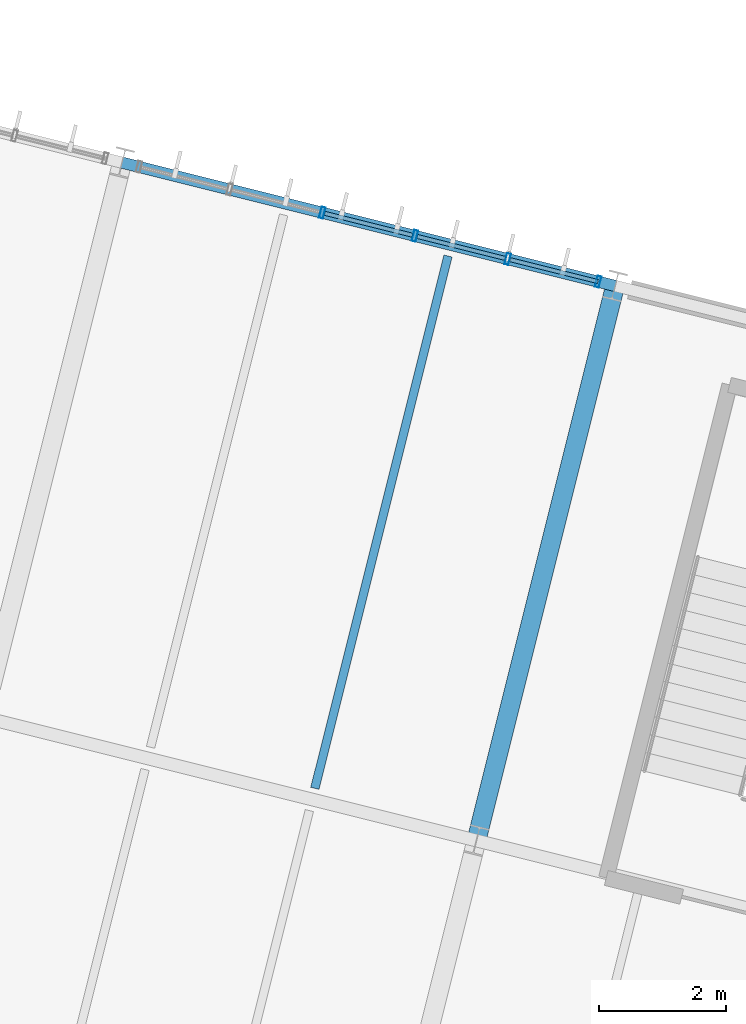
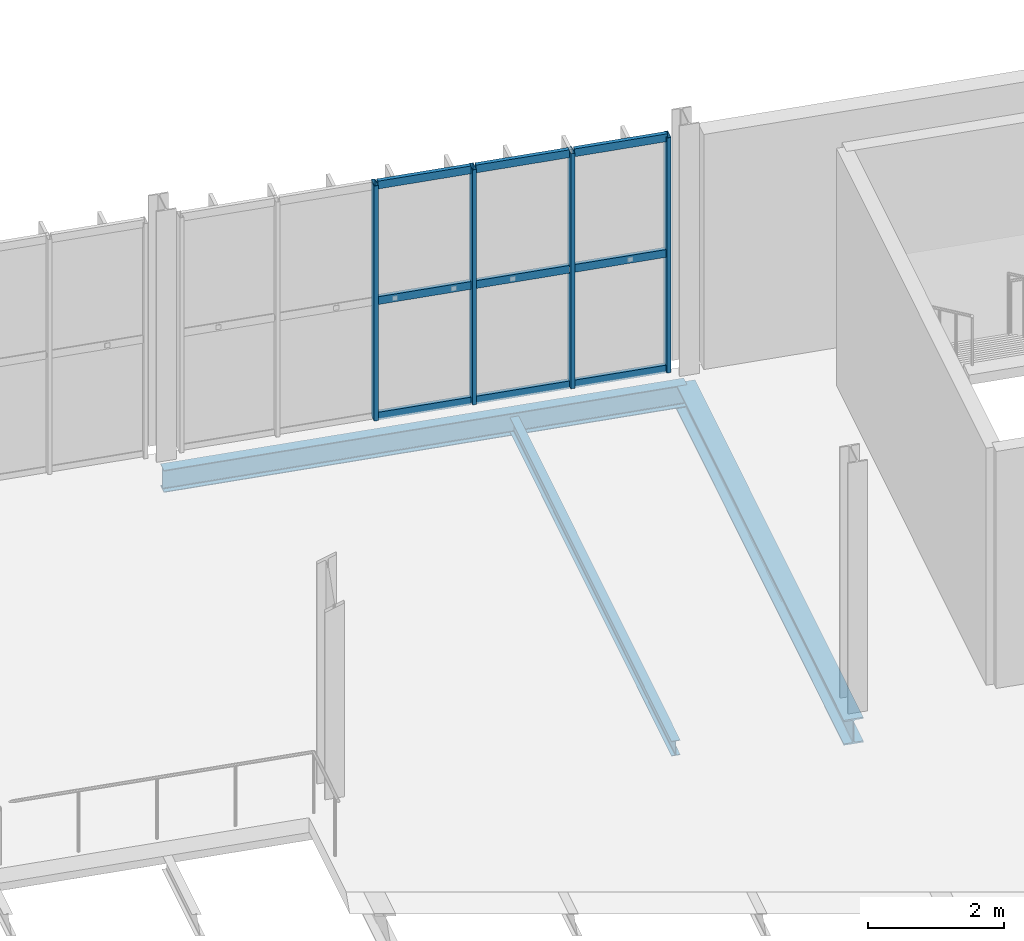
# One storey, part 102 of 152: 13 members, 3 beams, 1 element without a shape of its own.
"""IFC4 building model written with IfcOpenShell, lengths in metres."""

from ifc_helpers import new_model, si_unit, derived_unit, direction, frame, origin, origin_2d, place, context, subcontext, project, spatial, hollow_rectangle, i_section, extrude, material, material_profile, profile_set, type_object, element, aggregate, save


model = new_model("IFC4")

# Units and contexts
model_context = context("Model", 3, precision=1e-05, world=origin(), true_north=direction((0.0, 1.0)))
body_context = subcontext(model_context, "Body", "Model", "MODEL_VIEW")
ifc_project = project(units=[si_unit("LENGTHUNIT", "METRE"), si_unit("AREAUNIT", "SQUARE_METRE"), si_unit("VOLUMEUNIT", "CUBIC_METRE"), si_unit("PLANEANGLEUNIT", "RADIAN"), si_unit("MASSUNIT", "GRAM", prefix="KILO"), si_unit("THERMODYNAMICTEMPERATUREUNIT", "KELVIN"), si_unit("TIMEUNIT", "SECOND"), derived_unit("THERMALTRANSMITTANCEUNIT", [(si_unit("MASSUNIT", "GRAM", prefix="KILO"), 1), (si_unit("THERMODYNAMICTEMPERATUREUNIT", "KELVIN"), -1), (si_unit("TIMEUNIT", "SECOND"), -3)])], contexts=[model_context])

# Site, building, storey
site_placement = place(None, origin())
site = spatial("IfcSite", under=ifc_project, at=site_placement, CompositionType="ELEMENT")
building_placement = place(site_placement, origin())
building = spatial("IfcBuilding", under=site, at=building_placement, Name="Cambertide Market Hall", CompositionType="ELEMENT")
storey_placement = place(building_placement, frame((0.0, 0.0, 5.39990234375)))
storey = spatial("IfcBuildingStorey", under=building, at=storey_placement, Name="L02", CompositionType="ELEMENT", Elevation=5.39990234375)

# Curtain wall, members
ifc_material_1 = material(Name="Marine Anodized Aluminium 6063-T6 AA25", Category="aluminium")
curtain_wall_type = type_object("IfcCurtainWallType", Name="Culinary Teaching Kitchen Curtain Wall", PredefinedType="USERDEFINED", material=ifc_material_1)
curtain_wall_placement = place(storey_placement, origin())
curtain_wall = element("IfcCurtainWall", 1, at=curtain_wall_placement, inside=storey, type_object=curtain_wall_type, Name="Level 2 Curtain Wall CW-V4N-L02-7", ObjectType="UNITIZED CURTAIN WALL", PredefinedType="USERDEFINED")
ifc_material_2 = material(Name="Champagne Marine Anodized Aluminium 6063-T6 AA25", Category="aluminium")
ifc_material_profile_1 = material_profile(ifc_material_2, hollow_rectangle(XDim=0.06494140625, YDim=0.179931640625, WallThickness=0.00390625, at=origin_2d()), Name="ALU MULLION 65x180")
ifc_profile_set_1 = profile_set([ifc_material_profile_1], Name="Champagne Marine Anodized Aluminium 6063-T6 AA25")
member_type_1 = type_object("IfcMemberType", Name="Curtain Wall Mullion ALU MULLION 65x180", PredefinedType="MULLION", material=ifc_profile_set_1)
member_1_placement = place(storey_placement, frame((164.266357421875, 113.764404296875, 0.0), z_axis=(0.0, 0.0, 1.0), x_axis=(0.970142500145, -0.242535625038, 0.0)))
member_1 = element("IfcMember", 2, at=member_1_placement, type_object=member_type_1, Name="CW-V4N-L02-7 Mullion 3", PredefinedType="MULLION", context=body_context, shape_type="SweptSolid", body=[
    extrude(hollow_rectangle(XDim=0.06494140625, YDim=0.179931640625, WallThickness=0.00390625, at=origin_2d()), origin(), (0.0, 0.0, 1.0), 4.22021484375),
])
member_2_placement = place(storey_placement, frame((165.725341796875, 113.399658203125, 0.0), z_axis=(0.0, 0.0, 1.0), x_axis=(0.970142500145, -0.242535625038, 0.0)))
member_2 = element("IfcMember", 3, at=member_2_placement, type_object=member_type_1, Name="CW-V4N-L02-7 Mullion 4", PredefinedType="MULLION", context=body_context, shape_type="SweptSolid", body=[
    extrude(hollow_rectangle(XDim=0.06494140625, YDim=0.179931640625, WallThickness=0.00390625, at=origin_2d()), origin(), (0.0, 0.0, 1.0), 4.22021484375),
])
member_3_placement = place(storey_placement, frame((167.1845703125, 113.034912109375, 0.0), z_axis=(0.0, 0.0, 1.0), x_axis=(0.970142500145, -0.242535625038, 0.0)))
member_3 = element("IfcMember", 4, at=member_3_placement, type_object=member_type_1, Name="CW-V4N-L02-7 Mullion 5", PredefinedType="MULLION", context=body_context, shape_type="SweptSolid", body=[
    extrude(hollow_rectangle(XDim=0.06494140625, YDim=0.179931640625, WallThickness=0.00390625, at=origin_2d()), origin(), (0.0, 0.0, 1.0), 4.22021484375),
])
member_4_placement = place(storey_placement, frame((168.609619140625, 112.678466796875, 0.0), z_axis=(0.0, 0.0, 1.0), x_axis=(0.970142500145, -0.242535625038, 0.0)))
member_4 = element("IfcMember", 5, at=member_4_placement, type_object=member_type_1, Name="CW-V4N-L02-7 Mullion 6", PredefinedType="MULLION", context=body_context, shape_type="SweptSolid", body=[
    extrude(hollow_rectangle(XDim=0.06494140625, YDim=0.179931640625, WallThickness=0.00390625, at=origin_2d()), origin(), (0.0, 0.0, 1.0), 4.22021484375),
])
ifc_material_3 = material(Name="Champagne Marine Anodized Aluminium 6063-T6 AA25", Category="aluminium")
ifc_material_profile_2 = material_profile(ifc_material_3, hollow_rectangle(XDim=0.06494140625, YDim=0.139892578125, WallThickness=0.00341796875, at=origin_2d()), Name="ALU TRANSOM 65x140")
ifc_profile_set_2 = profile_set([ifc_material_profile_2], Name="Champagne Marine Anodized Aluminium 6063-T6 AA25")
member_type_2 = type_object("IfcMemberType", Name="Curtain Wall Transom ALU TRANSOM 65x140", PredefinedType="USERDEFINED", material=ifc_profile_set_2)
member_5_placement = place(storey_placement, frame((164.30517578125, 113.754638671875, 0.03515625), z_axis=(0.970162669427, -0.242454933646, 0.0), x_axis=(0.242454933646, 0.970162669427, 0.0)))
member_5 = element("IfcMember", 6, at=member_5_placement, type_object=member_type_2, Name="CW-V4N-L02-7 Transom 1-3", ObjectType="TRANSOM", PredefinedType="USERDEFINED", context=body_context, shape_type="SweptSolid", body=[
    extrude(hollow_rectangle(XDim=0.06494140625, YDim=0.139892578125, WallThickness=0.00341796875, at=origin_2d()), origin(), (0.0, 0.0, 1.0), 1.423828125),
])
member_6_placement = place(storey_placement, frame((165.76416015625, 113.389892578125, 0.03515625), z_axis=(0.970132415085, -0.242575961715, 0.0), x_axis=(0.242575961715, 0.970132415085, 0.0)))
member_6 = element("IfcMember", 7, at=member_6_placement, type_object=member_type_2, Name="CW-V4N-L02-7 Transom 1-4", ObjectType="TRANSOM", PredefinedType="USERDEFINED", context=body_context, shape_type="SweptSolid", body=[
    extrude(hollow_rectangle(XDim=0.06494140625, YDim=0.139892578125, WallThickness=0.00341796875, at=origin_2d()), origin(), (0.0, 0.0, 1.0), 1.424072265625),
])
member_7_placement = place(storey_placement, frame((167.223388671875, 113.025146484375, 0.03515625), z_axis=(0.970122324991, -0.242616311393, 0.0), x_axis=(0.242616311393, 0.970122324991, 0.0)))
member_7 = element("IfcMember", 8, at=member_7_placement, type_object=member_type_2, Name="CW-V4N-L02-7 Transom 1-5", ObjectType="TRANSOM", PredefinedType="USERDEFINED", context=body_context, shape_type="SweptSolid", body=[
    extrude(hollow_rectangle(XDim=0.06494140625, YDim=0.139892578125, WallThickness=0.00341796875, at=origin_2d()), origin(), (0.0, 0.0, 1.0), 1.423828125),
])
member_8_placement = place(storey_placement, frame((164.30517578125, 113.754638671875, 2.110107421875), z_axis=(0.970162669427, -0.242454933646, 0.0), x_axis=(0.242454933646, 0.970162669427, 0.0)))
member_8 = element("IfcMember", 9, at=member_8_placement, type_object=member_type_2, Name="CW-V4N-L02-7 Transom 2-3", ObjectType="TRANSOM", PredefinedType="USERDEFINED", context=body_context, shape_type="SweptSolid", body=[
    extrude(hollow_rectangle(XDim=0.06494140625, YDim=0.139892578125, WallThickness=0.00341796875, at=origin_2d()), origin(), (0.0, 0.0, 1.0), 1.423828125),
])
member_9_placement = place(storey_placement, frame((165.76416015625, 113.389892578125, 2.110107421875), z_axis=(0.970132415085, -0.242575961715, 0.0), x_axis=(0.242575961715, 0.970132415085, 0.0)))
member_9 = element("IfcMember", 10, at=member_9_placement, type_object=member_type_2, Name="CW-V4N-L02-7 Transom 2-4", ObjectType="TRANSOM", PredefinedType="USERDEFINED", context=body_context, shape_type="SweptSolid", body=[
    extrude(hollow_rectangle(XDim=0.06494140625, YDim=0.139892578125, WallThickness=0.00341796875, at=origin_2d()), origin(), (0.0, 0.0, 1.0), 1.424072265625),
])
member_10_placement = place(storey_placement, frame((167.223388671875, 113.025146484375, 2.110107421875), z_axis=(0.970122324991, -0.242616311393, 0.0), x_axis=(0.242616311393, 0.970122324991, 0.0)))
member_10 = element("IfcMember", 11, at=member_10_placement, type_object=member_type_2, Name="CW-V4N-L02-7 Transom 2-5", ObjectType="TRANSOM", PredefinedType="USERDEFINED", context=body_context, shape_type="SweptSolid", body=[
    extrude(hollow_rectangle(XDim=0.06494140625, YDim=0.139892578125, WallThickness=0.00341796875, at=origin_2d()), origin(), (0.0, 0.0, 1.0), 1.423828125),
])
member_11_placement = place(storey_placement, frame((164.30517578125, 113.754638671875, 4.18505859375), z_axis=(0.970162669427, -0.242454933646, 0.0), x_axis=(0.242454933646, 0.970162669427, 0.0)))
member_11 = element("IfcMember", 12, at=member_11_placement, type_object=member_type_2, Name="CW-V4N-L02-7 Transom 3-3", ObjectType="TRANSOM", PredefinedType="USERDEFINED", context=body_context, shape_type="SweptSolid", body=[
    extrude(hollow_rectangle(XDim=0.06494140625, YDim=0.139892578125, WallThickness=0.00341796875, at=origin_2d()), origin(), (0.0, 0.0, 1.0), 1.423828125),
])
member_12_placement = place(storey_placement, frame((165.76416015625, 113.389892578125, 4.18505859375), z_axis=(0.970132415085, -0.242575961715, 0.0), x_axis=(0.242575961715, 0.970132415085, 0.0)))
member_12 = element("IfcMember", 13, at=member_12_placement, type_object=member_type_2, Name="CW-V4N-L02-7 Transom 3-4", ObjectType="TRANSOM", PredefinedType="USERDEFINED", context=body_context, shape_type="SweptSolid", body=[
    extrude(hollow_rectangle(XDim=0.06494140625, YDim=0.139892578125, WallThickness=0.00341796875, at=origin_2d()), origin(), (0.0, 0.0, 1.0), 1.424072265625),
])
member_13_placement = place(storey_placement, frame((167.223388671875, 113.025146484375, 4.18505859375), z_axis=(0.970122324991, -0.242616311393, 0.0), x_axis=(0.242616311393, 0.970122324991, 0.0)))
member_13 = element("IfcMember", 14, at=member_13_placement, type_object=member_type_2, Name="CW-V4N-L02-7 Transom 3-5", ObjectType="TRANSOM", PredefinedType="USERDEFINED", context=body_context, shape_type="SweptSolid", body=[
    extrude(hollow_rectangle(XDim=0.06494140625, YDim=0.139892578125, WallThickness=0.00341796875, at=origin_2d()), origin(), (0.0, 0.0, 1.0), 1.423828125),
])
aggregate(curtain_wall, [member_1, member_2, member_3, member_4, member_5, member_6, member_7, member_8, member_9, member_10, member_11, member_12, member_13])

# Beams
ifc_material_4 = material(Name="Steel S355", Category="steel")
ifc_material_profile_3 = material_profile(ifc_material_4, i_section(OverallWidth=0.179931640625, OverallDepth=0.39990234375, WebThickness=0.008544921875, FlangeThickness=0.013427734375, FilletRadius=0.02099609375, at=origin_2d()), Name="IPE 400")
ifc_profile_set_3 = profile_set([ifc_material_profile_3], Name="Steel S355")
beam_type_1 = type_object("IfcBeamType", Name="Perimeter Spandrel Beam IPE 400", PredefinedType="SPANDREL", material=ifc_profile_set_3)
beam_1_placement = place(storey_placement, frame((161.115234375, 114.55224609375, -0.46484375), z_axis=(0.970138909791, -0.242549986002, 0.0), x_axis=(0.242549986002, 0.970138909791, 0.0)))
element("IfcBeam", 15, at=beam_1_placement, inside=storey, type_object=beam_type_1, Name="Level 2 Spandrel BM-V4U-L02-7-4", PredefinedType="SPANDREL", context=body_context, shape_type="SweptSolid", body=[
    extrude(i_section(OverallWidth=0.179931640625, OverallDepth=0.39990234375, WebThickness=0.008544921875, FlangeThickness=0.013427734375, FilletRadius=0.02099609375, at=origin_2d()), origin(), (0.0, 0.0, 1.0), 8.000244140625),
])
ifc_material_5 = material(Name="Steel S355", Category="steel")
ifc_material_profile_4 = material_profile(ifc_material_5, i_section(OverallWidth=0.300048828125, OverallDepth=0.449951171875, WebThickness=0.013916015625, FlangeThickness=0.02587890625, FilletRadius=0.027099609375, at=origin_2d()), Name="HEB 450")
ifc_profile_set_4 = profile_set([ifc_material_profile_4], Name="Steel S355")
beam_type_2 = type_object("IfcBeamType", Name="Steel Girder HEB 450", PredefinedType="BEAM", material=ifc_profile_set_4)
beam_2_placement = place(storey_placement, frame((166.693603515625, 103.880615234375, -0.489990234375), z_axis=(0.242542007841, 0.970140904422, 0.0), x_axis=(-0.970140904422, 0.242542007841, 0.0)))
element("IfcBeam", 16, at=beam_2_placement, inside=storey, type_object=beam_type_2, Name="Level 2 Beam BM-V4V-L02-8-3", PredefinedType="BEAM", context=body_context, shape_type="SweptSolid", body=[
    extrude(i_section(OverallWidth=0.300048828125, OverallDepth=0.449951171875, WebThickness=0.013916015625, FlangeThickness=0.02587890625, FilletRadius=0.027099609375, at=origin_2d()), origin(), (0.0, 0.0, 1.0), 9.0),
])
ifc_material_6 = material(Name="Steel S275", Category="steel")
ifc_material_profile_5 = material_profile(ifc_material_6, i_section(OverallWidth=0.135009765625, OverallDepth=0.27001953125, WebThickness=0.006591796875, FlangeThickness=0.01025390625, FilletRadius=0.014892578125, at=origin_2d()), Name="IPE 270")
ifc_profile_set_5 = profile_set([ifc_material_profile_5], Name="Steel S275")
beam_type_3 = type_object("IfcBeamType", Name="Steel Secondary Joist IPE 270", PredefinedType="JOIST", material=ifc_profile_set_5)
beam_3_placement = place(storey_placement, frame((164.150146484375, 104.701904296875, -0.39990234375), z_axis=(0.242555570896, 0.970137513463, 0.0), x_axis=(-0.970137513463, 0.242555570896, 0.0)))
element("IfcBeam", 17, at=beam_3_placement, inside=storey, type_object=beam_type_3, Name="Level 2 Joist JS-V4-L02-7-3-2", PredefinedType="JOIST", context=body_context, shape_type="SweptSolid", body=[
    extrude(i_section(OverallWidth=0.135009765625, OverallDepth=0.27001953125, WebThickness=0.006591796875, FlangeThickness=0.01025390625, FilletRadius=0.014892578125, at=origin_2d()), origin(), (0.0, 0.0, 1.0), 8.64013671875),
])

save(model, "model.ifc")
